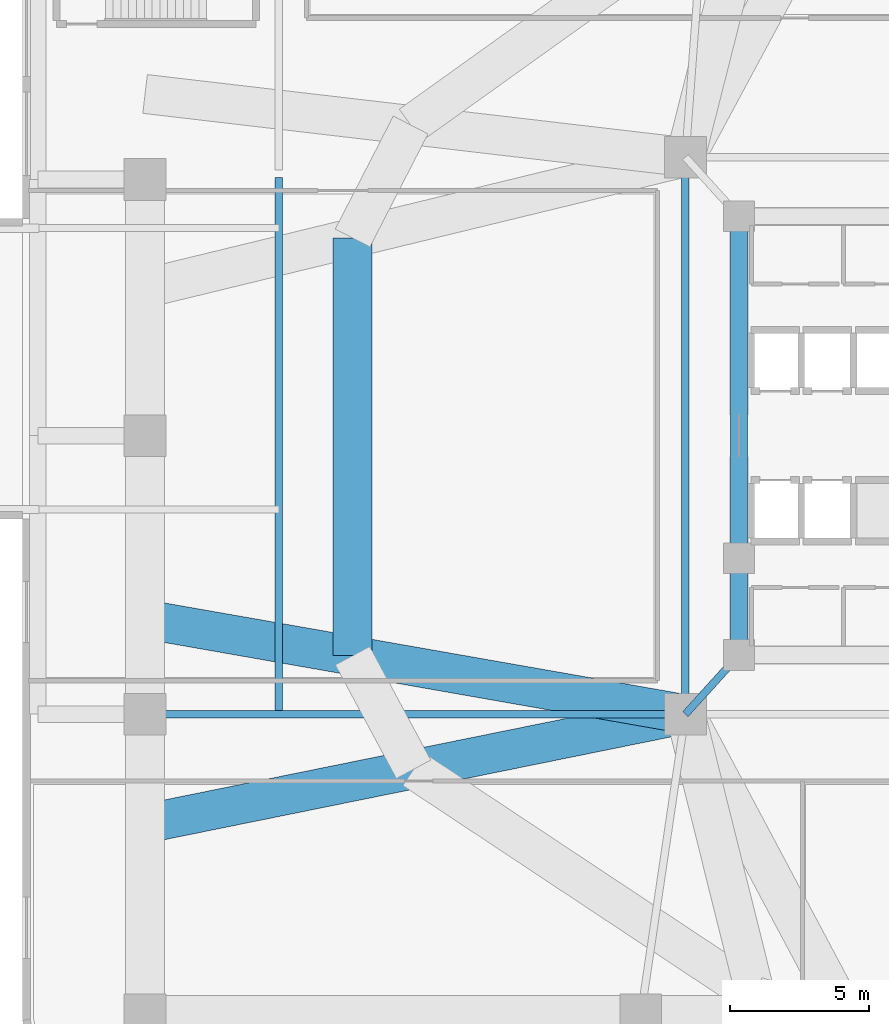
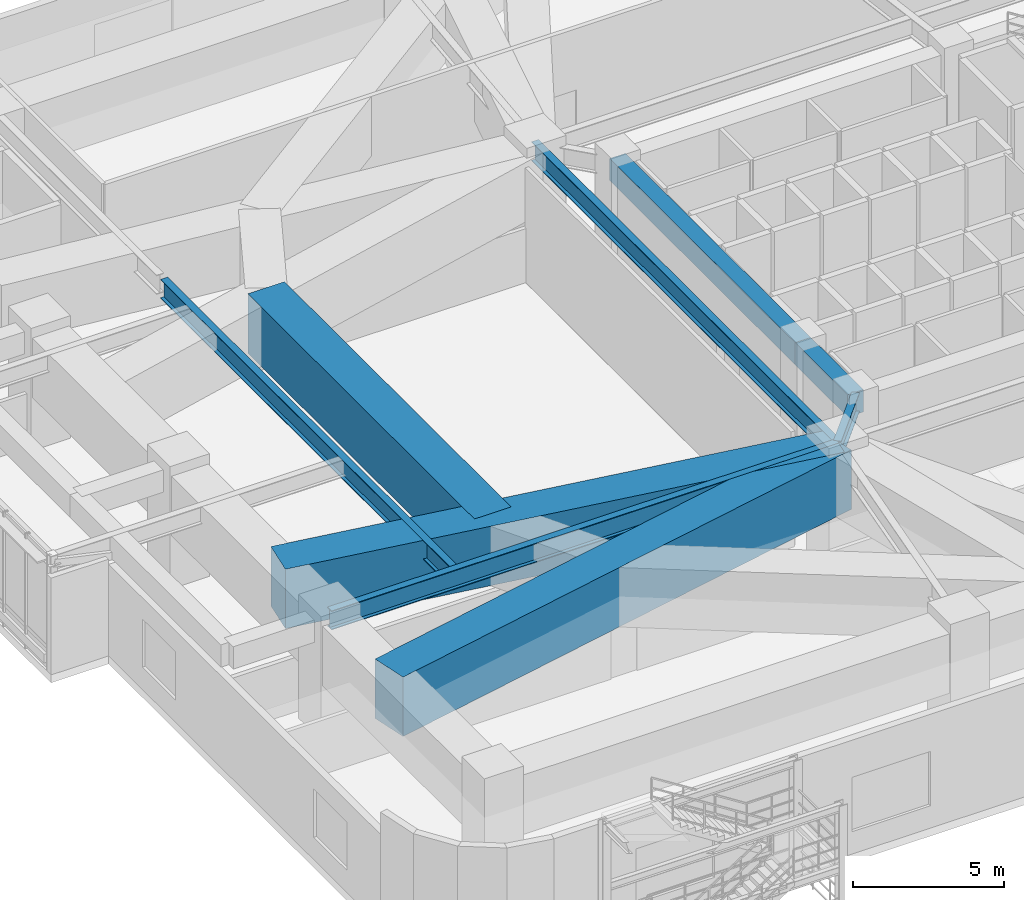
# One storey, part 4 of 26: 9 beams.
"""IFC4 building model written with IfcOpenShell, lengths in metres."""

from ifc_helpers import new_model, si_unit, direction, frame, origin, origin_2d, place, context, subcontext, project, spatial, rectangle, i_section, extrude, material, material_profile, profile_set, type_object, element, save


model = new_model("IFC4")

# Units and contexts
model_context = context("Model", 3, precision=1e-05, world=origin(), true_north=direction((0.0, 1.0)))
body_context = subcontext(model_context, "Body", "Model", "MODEL_VIEW")
ifc_project = project(units=[si_unit("LENGTHUNIT", "METRE"), si_unit("AREAUNIT", "SQUARE_METRE"), si_unit("VOLUMEUNIT", "CUBIC_METRE"), si_unit("PLANEANGLEUNIT", "RADIAN"), si_unit("MASSUNIT", "GRAM", prefix="KILO")], contexts=[model_context])

# Site, building, storey
site_placement = place(None, origin())
site = spatial("IfcSite", under=ifc_project, at=site_placement, CompositionType="ELEMENT")
building_placement = place(site_placement, origin())
building = spatial("IfcBuilding", under=site, at=building_placement, Name="Zulverin Broadcast Headquarters", CompositionType="ELEMENT")
storey_placement = place(building_placement, frame((0.0, 0.0, 20.0)))
storey = spatial("IfcBuildingStorey", under=building, at=storey_placement, Name="L04", CompositionType="ELEMENT", Elevation=20.0)

# Beams
ifc_material_1 = material(Name="Concrete C60/75", Category="concrete")
ifc_material_profile_1 = material_profile(ifc_material_1, rectangle(XDim=0.60009765625, YDim=0.89990234375, at=origin_2d()), Name="Concrete C60/75", Category="concrete")
ifc_profile_set_1 = profile_set([ifc_material_profile_1], Name="Concrete C60/75")
beam_type_1 = type_object("IfcBeamType", Name="BM-CB-600x900", PredefinedType="LINTEL", material=ifc_profile_set_1)
beam_1_placement = place(storey_placement, frame((25.72509765625, 33.074951171875, 4.14990234375), z_axis=(0.0, -1.0, 0.0), x_axis=(1.0, 0.0, 0.0)))
element("IfcBeam", 1, at=beam_1_placement, inside=storey, type_object=beam_type_1, Name="L04 Core Coupling Girder K07-K08", PredefinedType="LINTEL", context=body_context, shape_type="SweptSolid", body=[
    extrude(rectangle(XDim=0.60009765625, YDim=0.89990234375, at=origin_2d()), origin(), (0.0, 0.0, 1.0), 12.27490234375),
])
beam_2_placement = place(storey_placement, frame((25.72509765625, 20.800048828125, 4.14990234375), z_axis=(0.0, -1.0, 0.0), x_axis=(1.0, 0.0, 0.0)))
element("IfcBeam", 2, at=beam_2_placement, inside=storey, type_object=beam_type_1, Name="L04 Core Coupling Girder K08-K01", PredefinedType="LINTEL", context=body_context, shape_type="SweptSolid", body=[
    extrude(rectangle(XDim=0.60009765625, YDim=0.89990234375, at=origin_2d()), origin(), (0.0, 0.0, 1.0), 3.47509765625),
])
ifc_material_profile_2 = material_profile(ifc_material_1, rectangle(XDim=1.39990234375, YDim=2.39990234375, at=origin_2d()), Name="Concrete C60/75", Category="concrete")
ifc_profile_set_2 = profile_set([ifc_material_profile_2], Name="Concrete C60/75")
beam_type_2 = type_object("IfcBeamType", Name="BM-TG-1400x2400", PredefinedType="USERDEFINED", material=ifc_profile_set_2)
beam_3_placement = place(storey_placement, frame((11.85009765625, 32.298095703125, 3.39990234375), z_axis=(0.0, -1.0, 0.0), x_axis=(1.0, 0.0, 0.0)))
element("IfcBeam", 3, at=beam_3_placement, inside=storey, type_object=beam_type_2, Name="L05 Tower Base Transfer Ring Girder TGR-13", ObjectType="TRANSFER GIRDER", PredefinedType="USERDEFINED", context=body_context, shape_type="SweptSolid", body=[
    extrude(rectangle(XDim=1.39990234375, YDim=2.39990234375, at=origin_2d()), origin(), (0.0, 0.0, 1.0), 15.00048828125),
])
beam_4_placement = place(storey_placement, frame((23.800048828125, 15.199951171875, 3.39990234375), z_axis=(-0.984944105036, 0.17287310362, 0.0), x_axis=(-0.17287310362, -0.984944105036, 0.0)))
element("IfcBeam", 4, at=beam_4_placement, inside=storey, type_object=beam_type_2, Name="L05 Tower Base Continuous Transfer Girder TG-14", ObjectType="TRANSFER GIRDER", PredefinedType="USERDEFINED", context=body_context, shape_type="SweptSolid", body=[
    extrude(rectangle(XDim=1.39990234375, YDim=2.39990234375, at=origin_2d()), origin(), (0.0, 0.0, 1.0), 19.69677734375),
])
beam_5_placement = place(storey_placement, frame((23.800048828125, 15.199951171875, 3.39990234375), z_axis=(-0.980040027699, -0.198800261839, 0.0), x_axis=(0.198800261839, -0.980040027699, 0.0)))
element("IfcBeam", 5, at=beam_5_placement, inside=storey, type_object=beam_type_2, Name="L05 Tower Base Continuous Transfer Girder TG-15", ObjectType="TRANSFER GIRDER", PredefinedType="USERDEFINED", context=body_context, shape_type="SweptSolid", body=[
    extrude(rectangle(XDim=1.39990234375, YDim=2.39990234375, at=origin_2d()), origin(), (0.0, 0.0, 1.0), 19.795166015625),
])
ifc_material_2 = material(Name="Structural steel S355JR", Category="steel")
ifc_material_profile_3 = material_profile(ifc_material_2, i_section(OverallWidth=0.26806640625, OverallDepth=0.769775390625, WebThickness=0.015625, FlangeThickness=0.025390625, at=origin_2d()), Name="Structural steel S355JR", Category="steel")
ifc_profile_set_3 = profile_set([ifc_material_profile_3], Name="Structural steel S355JR")
beam_type_3 = type_object("IfcBeamType", Name="BM-UB-762", PredefinedType="BEAM", material=ifc_profile_set_3)
beam_6_placement = place(storey_placement, frame((23.800048828125, 15.199951171875, 4.215087890625), z_axis=(0.671379160881, 0.741114041383, 0.0), x_axis=(-0.741114041383, 0.671379160881, 0.0)))
element("IfcBeam", 6, at=beam_6_placement, inside=storey, type_object=beam_type_3, Name="L04 Podium Primary Girder M01-K01", PredefinedType="BEAM", context=body_context, shape_type="SweptSolid", body=[
    extrude(i_section(OverallWidth=0.26806640625, OverallDepth=0.769775390625, WebThickness=0.015625, FlangeThickness=0.025390625, at=origin_2d()), origin(), (0.0, 0.0, 1.0), 2.8671875),
])
beam_7_placement = place(storey_placement, frame((23.800048828125, 35.199951171875, 4.215087890625), z_axis=(0.0, -1.0, 0.0), x_axis=(1.0, 0.0, 0.0)))
element("IfcBeam", 7, at=beam_7_placement, inside=storey, type_object=beam_type_3, Name="L04 Podium Primary Girder M04-M01", PredefinedType="BEAM", context=body_context, shape_type="SweptSolid", body=[
    extrude(i_section(OverallWidth=0.26806640625, OverallDepth=0.769775390625, WebThickness=0.015625, FlangeThickness=0.025390625, at=origin_2d()), origin(), (0.0, 0.0, 1.0), 20.0),
])
beam_8_placement = place(storey_placement, frame((4.39990234375, 15.199951171875, 4.215087890625), z_axis=(1.0, 0.0, 0.0), x_axis=(0.0, 1.0, 0.0)))
element("IfcBeam", 8, at=beam_8_placement, inside=storey, type_object=beam_type_3, Name="L04 West Studio South Tie Girder", PredefinedType="BEAM", context=body_context, shape_type="SweptSolid", body=[
    extrude(i_section(OverallWidth=0.26806640625, OverallDepth=0.769775390625, WebThickness=0.015625, FlangeThickness=0.025390625, at=origin_2d()), origin(), (0.0, 0.0, 1.0), 19.400146484375),
])
beam_9_placement = place(storey_placement, frame((9.199951171875, 15.333984375, 4.215087890625), z_axis=(0.0, 1.0, 0.0), x_axis=(-1.0, 0.0, 0.0)))
element("IfcBeam", 9, at=beam_9_placement, inside=storey, type_object=beam_type_3, Name="L04 West Back-Span Anchor Beam WSBA-1", PredefinedType="BEAM", context=body_context, shape_type="SweptSolid", body=[
    extrude(i_section(OverallWidth=0.26806640625, OverallDepth=0.769775390625, WebThickness=0.015625, FlangeThickness=0.025390625, at=origin_2d()), origin(), (0.0, 0.0, 1.0), 19.1298828125),
])

save(model, "model.ifc")
